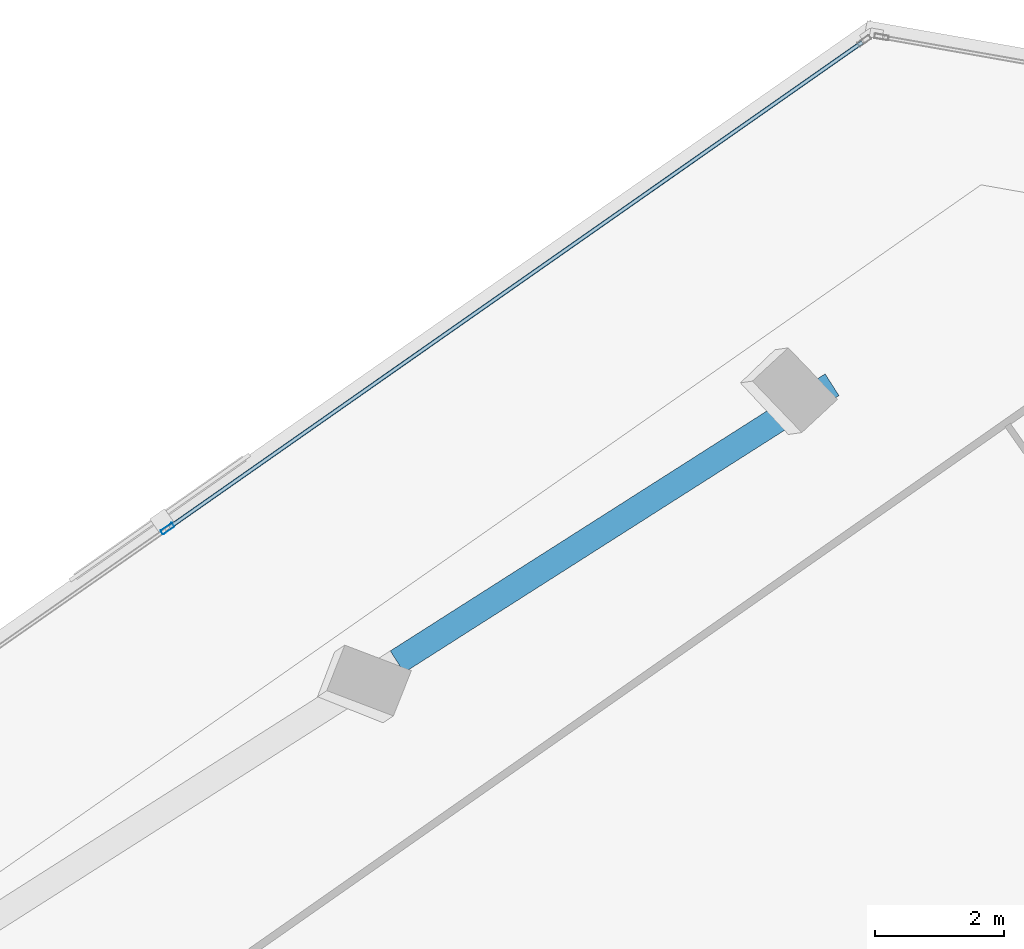
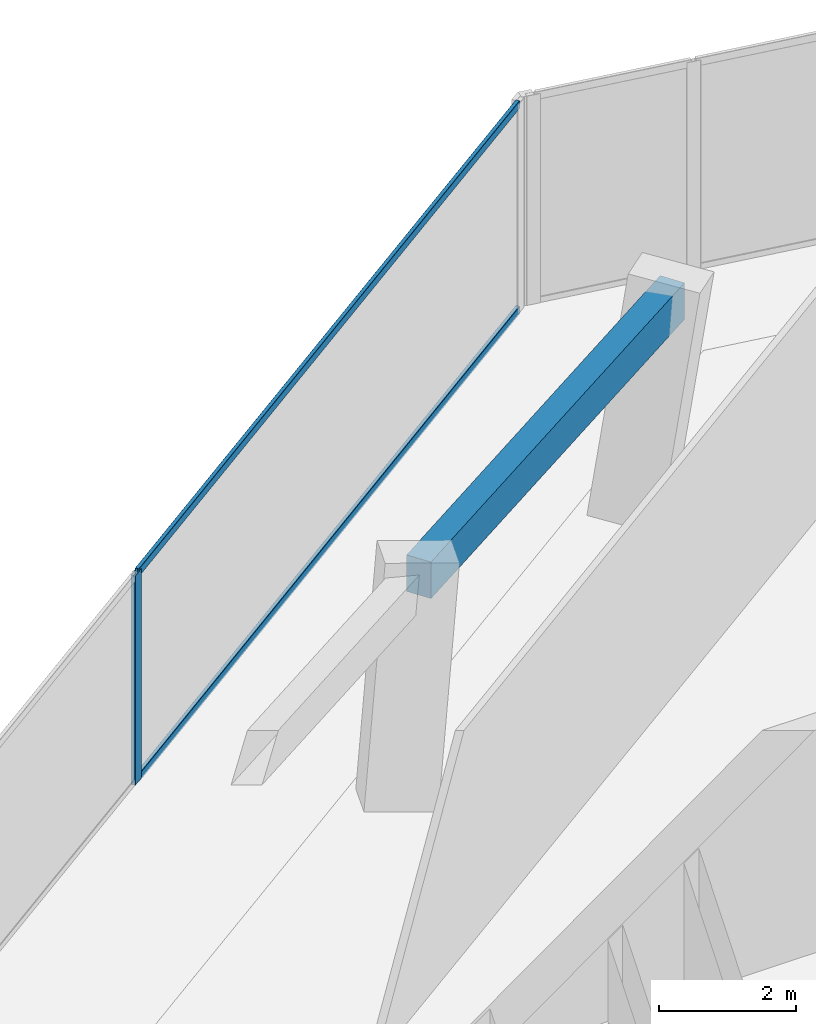
# One storey, part 8 of 15: 3 members, 1 beam, 1 element without a shape of its own.
"""IFC4 building model written with IfcOpenShell, lengths in metres."""

from ifc_helpers import new_model, si_unit, direction, frame, origin, origin_2d, place, context, subcontext, project, spatial, rectangle, hollow_rectangle, extrude, source, transform, mapped, material, material_profile, profile_set, type_object, element, aggregate, save


model = new_model("IFC4")

# Units and contexts
model_context = context("Model", 3, precision=1e-05, world=origin(), true_north=direction((0.0, 1.0)))
body_context = subcontext(model_context, "Body", "Model", "MODEL_VIEW")
ifc_project = project(units=[si_unit("LENGTHUNIT", "METRE"), si_unit("AREAUNIT", "SQUARE_METRE"), si_unit("VOLUMEUNIT", "CUBIC_METRE"), si_unit("PLANEANGLEUNIT", "RADIAN"), si_unit("MASSUNIT", "GRAM", prefix="KILO")], contexts=[model_context])

# Site, building, storey
site_placement = place(None, origin())
site = spatial("IfcSite", under=ifc_project, at=site_placement, CompositionType="ELEMENT")
building_placement = place(site_placement, origin())
building = spatial("IfcBuilding", under=site, at=building_placement, Name="Torre Montelarca", CompositionType="ELEMENT")
storey_placement = place(building_placement, frame((0.0, 0.0, 303.0)))
storey = spatial("IfcBuildingStorey", under=building, at=storey_placement, Name="L68", CompositionType="ELEMENT", Elevation=303.0)

# Beam
ifc_material_1 = material(Name="Concrete C40/50", Category="concrete")
ifc_material_profile_1 = material_profile(ifc_material_1, rectangle(XDim=0.39990234375, YDim=0.64990234375, at=origin_2d()), Name="RCB400X650", Category="concrete")
ifc_profile_set_1 = profile_set([ifc_material_profile_1], Name="Concrete C40/50")
beam_type = type_object("IfcBeamType", Name="BM-SP-RC650-EXT", PredefinedType="SPANDREL", material=ifc_profile_set_1)
shared_shape_1 = source(origin(), body_context, "Body", "SweptSolid", [
    extrude(rectangle(XDim=0.39990234375, YDim=0.64990234375, at=origin_2d()), origin(), (0.0, 0.0, 1.0), 8.0),
])
beam_placement = place(storey_placement, frame((12.446533203125, 46.211181640625, 3.635009765625), z_axis=(0.843392465414, 0.537298007891, 0.0), x_axis=(-0.537298007891, 0.843392465414, 0.0)))
element("IfcBeam", 1, at=beam_placement, inside=storey, type_object=beam_type, Name="L68 Grid Girder Y 32.0-40.0 at X=4.7", PredefinedType="SPANDREL", context=body_context, shape_type="MappedRepresentation", body=[
    mapped(shared_shape_1, transform((0.0, 0.0, 0.0), scale=1.0)),
])

# Curtain wall, members
ifc_material_2 = material(Name="Insulated low-E laminated glass", Category="glass")
curtain_wall_type = type_object("IfcCurtainWallType", Name="CW-SYS-Z4", PredefinedType="USERDEFINED", material=ifc_material_2)
curtain_wall_placement = place(storey_placement, origin())
curtain_wall = element("IfcCurtainWall", 2, at=curtain_wall_placement, inside=storey, type_object=curtain_wall_type, Name="L68 Curtain Wall Run CW-T3-L68-E10-B1", ObjectType="UNITISED GLAZING", PredefinedType="USERDEFINED")
ifc_material_3 = material(Name="Anodised aluminium AA 6063-T6", Category="aluminium")
ifc_material_profile_2 = material_profile(ifc_material_3, hollow_rectangle(XDim=0.074951171875, YDim=0.219970703125, WallThickness=0.0048828125, InnerFilletRadius=0.0048828125, OuterFilletRadius=0.010009765625, at=origin_2d()), Name="ALU75X220X5", Category="aluminium")
ifc_profile_set_2 = profile_set([ifc_material_profile_2], Name="Anodised aluminium AA 6063-T6")
member_type_1 = type_object("IfcMemberType", Name="CWM-ALU220", PredefinedType="MULLION", material=ifc_profile_set_2)
shared_shape_2 = source(origin(), body_context, "Body", "SweptSolid", [
    extrude(hollow_rectangle(XDim=0.074951171875, YDim=0.219970703125, WallThickness=0.0048828125, InnerFilletRadius=0.0048828125, OuterFilletRadius=0.010009765625, at=origin_2d()), origin(), (0.0, 0.0, 1.0), 3.719970703125),
])
member_1_placement = place(storey_placement, frame((8.882568359375, 48.2763671875, 0.0), z_axis=(0.0, 0.0, 1.0), x_axis=(0.57357162512, -0.819155413128, 0.0)))
member_1 = element("IfcMember", 3, at=member_1_placement, type_object=member_type_1, Name="CW mullion 2", PredefinedType="MULLION", context=body_context, shape_type="MappedRepresentation", body=[
    mapped(shared_shape_2, transform((0.0, 0.0, 0.0), scale=1.0)),
])
ifc_material_profile_3 = material_profile(ifc_material_3, hollow_rectangle(XDim=0.06494140625, YDim=0.139892578125, WallThickness=0.00390625, InnerFilletRadius=0.00390625, OuterFilletRadius=0.008056640625, at=origin_2d()), Name="ALU65X140X4", Category="aluminium")
ifc_profile_set_3 = profile_set([ifc_material_profile_3], Name="Anodised aluminium AA 6063-T6")
member_type_2 = type_object("IfcMemberType", Name="CWT-ALU140", PredefinedType="USERDEFINED", material=ifc_profile_set_3)
shared_shape_3 = source(origin(), body_context, "Body", "SweptSolid", [
    extrude(hollow_rectangle(XDim=0.06494140625, YDim=0.139892578125, WallThickness=0.00390625, InnerFilletRadius=0.00390625, OuterFilletRadius=0.008056640625, at=origin_2d()), origin(), (0.0, 0.0, 1.0), 13.12158203125),
])
member_2_placement = place(storey_placement, frame((19.661865234375, 55.823974609375, 0.032470703125), z_axis=(-0.819161112031, -0.573563486056, 0.0), x_axis=(0.573563486056, -0.819161112031, 0.0)))
member_2 = element("IfcMember", 4, at=member_2_placement, type_object=member_type_2, Name="CW transom 1.1", ObjectType="TRANSOM", PredefinedType="USERDEFINED", context=body_context, shape_type="MappedRepresentation", body=[
    mapped(shared_shape_3, transform((0.0, 0.0, 0.0), scale=1.0)),
])
member_3_placement = place(storey_placement, frame((19.661865234375, 55.823974609375, 3.6875), z_axis=(-0.819161112031, -0.573563486056, 0.0), x_axis=(0.573563486056, -0.819161112031, 0.0)))
member_3 = element("IfcMember", 5, at=member_3_placement, type_object=member_type_2, Name="CW transom 1.2", ObjectType="TRANSOM", PredefinedType="USERDEFINED", context=body_context, shape_type="MappedRepresentation", body=[
    mapped(shared_shape_3, transform((0.0, 0.0, 0.0), scale=1.0)),
])
aggregate(curtain_wall, [member_1, member_2, member_3])

save(model, "model.ifc")
